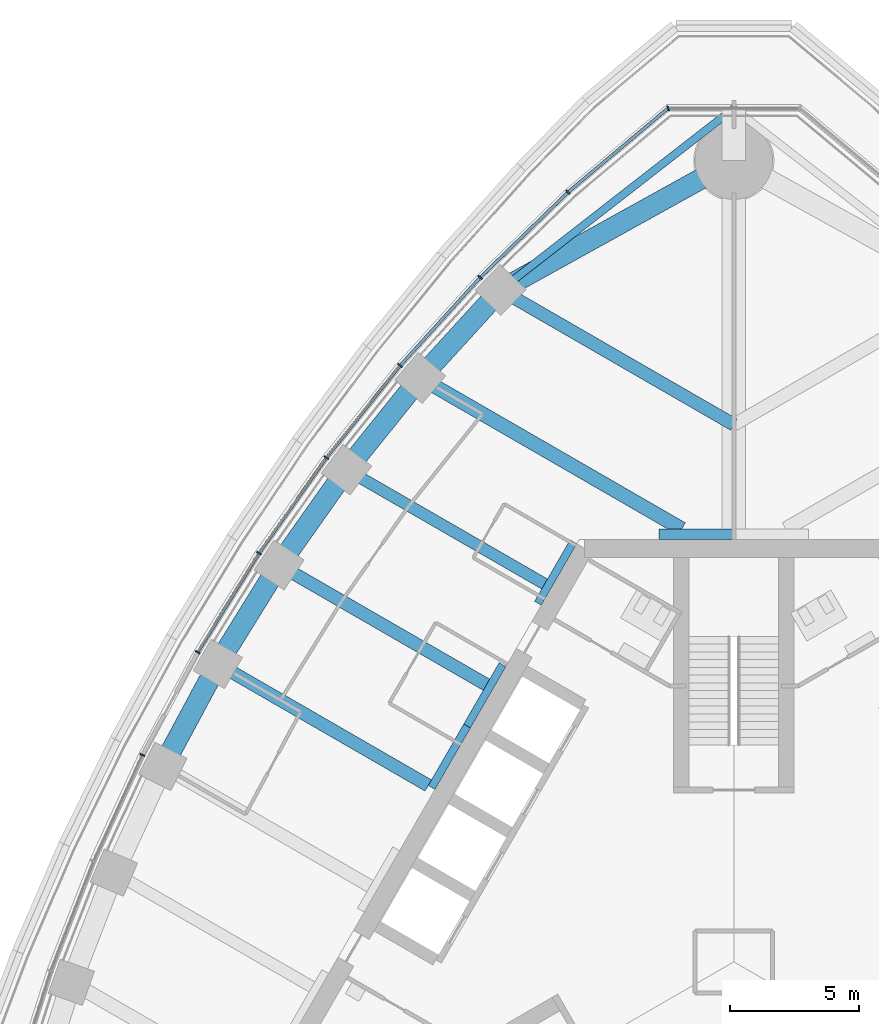
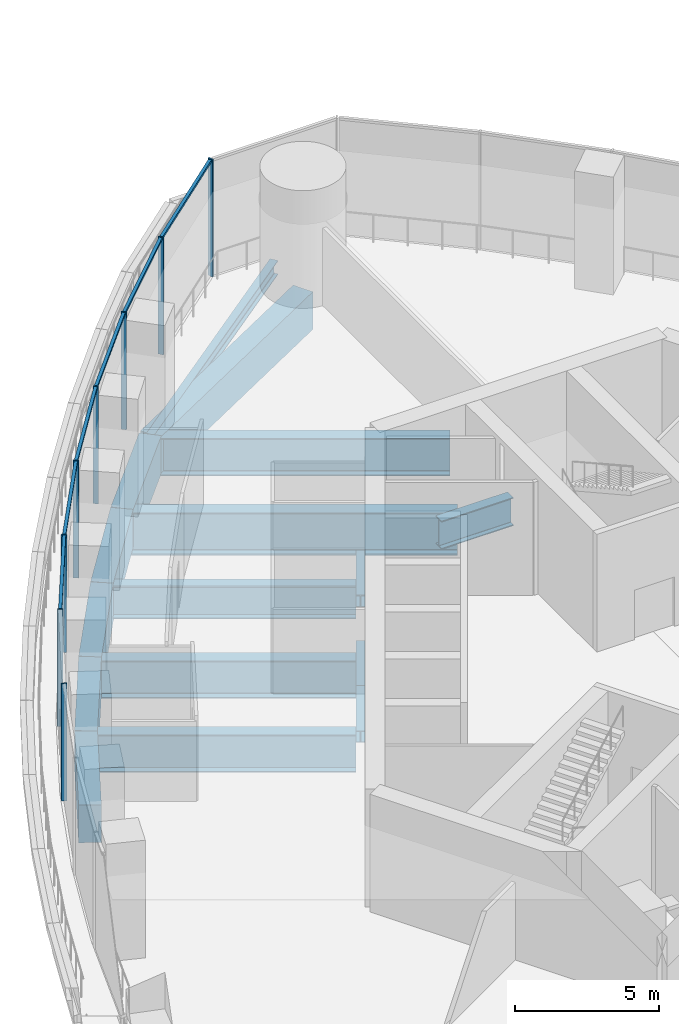
# One storey, part 6 of 26: 16 beams, 14 members, 3 elements without a shape of their own.
"""IFC4 building model written with IfcOpenShell, lengths in metres."""

from ifc_helpers import new_model, si_unit, direction, frame, origin, origin_2d, place, context, subcontext, project, spatial, rectangle, i_section, extrude, material, material_profile, profile_set, type_object, element, aggregate, save


model = new_model("IFC4")

# Units and contexts
model_context = context("Model", 3, precision=1e-05, world=origin(), true_north=direction((0.0, 1.0)))
body_context = subcontext(model_context, "Body", "Model", "MODEL_VIEW")
ifc_project = project(units=[si_unit("LENGTHUNIT", "METRE"), si_unit("AREAUNIT", "SQUARE_METRE"), si_unit("VOLUMEUNIT", "CUBIC_METRE"), si_unit("PLANEANGLEUNIT", "RADIAN"), si_unit("MASSUNIT", "GRAM", prefix="KILO")], contexts=[model_context])

# Site, building, storey
site_placement = place(None, origin())
site = spatial("IfcSite", under=ifc_project, at=site_placement, CompositionType="ELEMENT")
building_placement = place(site_placement, origin())
building = spatial("IfcBuilding", under=site, at=building_placement, Name="Trefoil Bronze Tower", CompositionType="ELEMENT")
storey_placement = place(building_placement, frame((0.0, 0.0, 271.300048828125)))
storey = spatial("IfcBuildingStorey", under=building, at=storey_placement, Name="L62", CompositionType="ELEMENT", Elevation=271.300048828125)

# Curtain wall, members
ifc_material_1 = material(Name="Tinted solar-control glass", Category="glass")
curtain_wall_type_1 = type_object("IfcCurtainWallType", Name="Bronze rounded corner curtain wall", PredefinedType="USERDEFINED", material=ifc_material_1)
curtain_wall_1_placement = place(storey_placement, origin())
curtain_wall_1 = element("IfcCurtainWall", 1, at=curtain_wall_1_placement, inside=storey, type_object=curtain_wall_type_1, Name="CW-B L62 K2", ObjectType="CURTAIN WALL", PredefinedType="USERDEFINED")
ifc_material_2 = material(Name="Bronze-finish aluminium", Category="aluminium")
ifc_material_profile_1 = material_profile(ifc_material_2, rectangle(XDim=0.199951171875, YDim=0.06005859375, at=origin_2d()), Name="CW-B mullion")
ifc_profile_set_1 = profile_set([ifc_material_profile_1], Name="Bronze-finish aluminium")
member_type_1 = type_object("IfcMemberType", Name="Bronze rounded corner curtain wall mullion", PredefinedType="MULLION", material=ifc_profile_set_1)
member_1_placement = place(storey_placement, frame((-2.542236328125, 33.021484375, 0.0), z_axis=(0.0, 0.0, 1.0), x_axis=(0.342020143326, -0.939692620786, 0.0)))
member_1 = element("IfcMember", 2, at=member_1_placement, type_object=member_type_1, Name="CW-B L62 K2 mullion 3", PredefinedType="MULLION", context=body_context, shape_type="SweptSolid", body=[
    extrude(rectangle(XDim=0.199951171875, YDim=0.06005859375, at=origin_2d()), origin(), (0.0, 0.0, 1.0), 4.97998046875),
])
member_2_placement = place(storey_placement, frame((-6.4150390625, 29.77978515625, 0.0), z_axis=(0.0, 0.0, 1.0), x_axis=(0.642787609687, -0.766044443119, 0.0)))
member_2 = element("IfcMember", 3, at=member_2_placement, type_object=member_type_1, Name="CW-B L62 K2 mullion 4", PredefinedType="MULLION", context=body_context, shape_type="SweptSolid", body=[
    extrude(rectangle(XDim=0.199951171875, YDim=0.06005859375, at=origin_2d()), origin(), (0.0, 0.0, 1.0), 4.97998046875),
])
ifc_material_3 = material(Name="Bronze-finish aluminium", Category="aluminium")
ifc_material_profile_2 = material_profile(ifc_material_3, rectangle(XDim=0.1201171875, YDim=0.10009765625, at=origin_2d()), Name="CW-B transom")
ifc_profile_set_2 = profile_set([ifc_material_profile_2], Name="Bronze-finish aluminium")
member_type_2 = type_object("IfcMemberType", Name="Bronze rounded corner curtain wall transom", PredefinedType="USERDEFINED", material=ifc_profile_set_2)
member_3_placement = place(storey_placement, frame((-2.595458984375, 32.98486328125, 4.929931640625), z_axis=(-0.766040522511, -0.642792282056, 0.0), x_axis=(0.642792282056, -0.766040522511, 0.0)))
member_3 = element("IfcMember", 4, at=member_3_placement, type_object=member_type_2, Name="CW-B L62 K2 transom 3", ObjectType="TRANSOM", PredefinedType="USERDEFINED", context=body_context, shape_type="SweptSolid", body=[
    extrude(rectangle(XDim=0.1201171875, YDim=0.10009765625, at=origin_2d()), origin(), (0.0, 0.0, 1.0), 4.9560546875),
])
aggregate(curtain_wall_1, [member_1, member_2, member_3])

ifc_material_4 = material(Name="Tinted solar-control glass", Category="glass")
curtain_wall_type_2 = type_object("IfcCurtainWallType", Name="Bronze sky lobby curtain wall", PredefinedType="USERDEFINED", material=ifc_material_4)
curtain_wall_2_placement = place(storey_placement, origin())
curtain_wall_2 = element("IfcCurtainWall", 5, at=curtain_wall_2_placement, inside=storey, type_object=curtain_wall_type_2, Name="CW-D L62 F3 run 1", ObjectType="CURTAIN WALL", PredefinedType="USERDEFINED")
ifc_material_5 = material(Name="Bronze-finish aluminium", Category="aluminium")
ifc_material_profile_3 = material_profile(ifc_material_5, rectangle(XDim=0.199951171875, YDim=0.06005859375, at=origin_2d()), Name="CW-D mullion")
ifc_profile_set_3 = profile_set([ifc_material_profile_3], Name="Bronze-finish aluminium")
member_type_3 = type_object("IfcMemberType", Name="Bronze sky lobby curtain wall mullion", PredefinedType="MULLION", material=ifc_profile_set_3)
member_4_placement = place(storey_placement, frame((-9.8134765625, 26.478271484375, 0.0), z_axis=(0.0, 0.0, 1.0), x_axis=(0.719001349715, -0.695008675564, 0.0)))
member_4 = element("IfcMember", 6, at=member_4_placement, type_object=member_type_3, Name="CW-D L62 F3 run 1 mullion 2", PredefinedType="MULLION", context=body_context, shape_type="SweptSolid", body=[
    extrude(rectangle(XDim=0.199951171875, YDim=0.06005859375, at=origin_2d()), origin(), (0.0, 0.0, 1.0), 4.97998046875),
])
member_5_placement = place(storey_placement, frame((-12.912353515625, 23.064453125, 0.0), z_axis=(0.0, 0.0, 1.0), x_axis=(0.760781190165, -0.649008459646, 0.0)))
member_5 = element("IfcMember", 7, at=member_5_placement, type_object=member_type_3, Name="CW-D L62 F3 run 1 mullion 3", PredefinedType="MULLION", context=body_context, shape_type="SweptSolid", body=[
    extrude(rectangle(XDim=0.199951171875, YDim=0.06005859375, at=origin_2d()), origin(), (0.0, 0.0, 1.0), 4.97998046875),
])
member_6_placement = place(storey_placement, frame((-15.7626953125, 19.5068359375, 0.0), z_axis=(0.0, 0.0, 1.0), x_axis=(0.799096076136, -0.601203344222, 0.0)))
member_6 = element("IfcMember", 8, at=member_6_placement, type_object=member_type_3, Name="CW-D L62 F3 run 1 mullion 4", PredefinedType="MULLION", context=body_context, shape_type="SweptSolid", body=[
    extrude(rectangle(XDim=0.199951171875, YDim=0.06005859375, at=origin_2d()), origin(), (0.0, 0.0, 1.0), 4.97998046875),
])
member_7_placement = place(storey_placement, frame((-18.37158203125, 15.81005859375, 0.0), z_axis=(0.0, 0.0, 1.0), x_axis=(0.834159158089, -0.551523797289, 0.0)))
member_7 = element("IfcMember", 9, at=member_7_placement, type_object=member_type_3, Name="CW-D L62 F3 run 1 mullion 5", PredefinedType="MULLION", context=body_context, shape_type="SweptSolid", body=[
    extrude(rectangle(XDim=0.199951171875, YDim=0.06005859375, at=origin_2d()), origin(), (0.0, 0.0, 1.0), 4.97998046875),
])
member_8_placement = place(storey_placement, frame((-20.7412109375, 11.978515625, 0.0), z_axis=(0.0, 0.0, 1.0), x_axis=(0.850497225851, -0.525979532701, 0.0)))
member_8 = element("IfcMember", 10, at=member_8_placement, type_object=member_type_3, Name="CW-D L62 F3 run 1 mullion 6", PredefinedType="MULLION", context=body_context, shape_type="SweptSolid", body=[
    extrude(rectangle(XDim=0.199951171875, YDim=0.06005859375, at=origin_2d()), origin(), (0.0, 0.0, 1.0), 4.97998046875),
])

# Curtain wall, member
curtain_wall_3_placement = place(storey_placement, origin())
curtain_wall_3 = element("IfcCurtainWall", 11, at=curtain_wall_3_placement, inside=storey, type_object=curtain_wall_type_2, Name="CW-D L62 F3 run 3", ObjectType="CURTAIN WALL", PredefinedType="USERDEFINED")
member_9_placement = place(storey_placement, frame((-22.87890625, 8.00244140625, 0.0), z_axis=(0.0, 0.0, 1.0), x_axis=(0.907843509649, -0.419309148468, 0.0)))
member_9 = element("IfcMember", 12, at=member_9_placement, type_object=member_type_3, Name="CW-D L62 F3 run 3 mullion 1", PredefinedType="MULLION", context=body_context, shape_type="SweptSolid", body=[
    extrude(rectangle(XDim=0.199951171875, YDim=0.06005859375, at=origin_2d()), origin(), (0.0, 0.0, 1.0), 4.97998046875),
])
aggregate(curtain_wall_3, [member_9])

# Member
ifc_material_6 = material(Name="Bronze-finish aluminium", Category="aluminium")
ifc_material_profile_4 = material_profile(ifc_material_6, rectangle(XDim=0.1201171875, YDim=0.10009765625, at=origin_2d()), Name="CW-D transom")
ifc_profile_set_4 = profile_set([ifc_material_profile_4], Name="Bronze-finish aluminium")
member_type_4 = type_object("IfcMemberType", Name="Bronze sky lobby curtain wall transom", PredefinedType="USERDEFINED", material=ifc_profile_set_4)
member_10_placement = place(storey_placement, frame((-6.442138671875, 29.75390625, 4.929931640625), z_axis=(-0.717207669236, -0.696859497452, 0.0), x_axis=(0.696859497452, -0.717207669236, 0.0)))
member_10 = element("IfcMember", 13, at=member_10_placement, type_object=member_type_4, Name="CW-D L62 F3 run 1 transom 1", ObjectType="TRANSOM", PredefinedType="USERDEFINED", context=body_context, shape_type="SweptSolid", body=[
    extrude(rectangle(XDim=0.1201171875, YDim=0.10009765625, at=origin_2d()), origin(), (0.0, 0.0, 1.0), 4.667236328125),
])

member_11_placement = place(storey_placement, frame((-9.835693359375, 26.453857421875, 4.929931640625), z_axis=(-0.672113749312, -0.74044791038, 0.0), x_axis=(0.74044791038, -0.672113749312, 0.0)))
member_11 = element("IfcMember", 14, at=member_11_placement, type_object=member_type_4, Name="CW-D L62 F3 run 1 transom 2", ObjectType="TRANSOM", PredefinedType="USERDEFINED", context=body_context, shape_type="SweptSolid", body=[
    extrude(rectangle(XDim=0.1201171875, YDim=0.10009765625, at=origin_2d()), origin(), (0.0, 0.0, 1.0), 4.54443359375),
])

member_12_placement = place(storey_placement, frame((-12.93310546875, 23.03857421875, 4.929931640625), z_axis=(-0.625291332688, -0.780391407734, 0.0), x_axis=(0.780391407734, -0.625291332688, 0.0)))
member_12 = element("IfcMember", 15, at=member_12_placement, type_object=member_type_4, Name="CW-D L62 F3 run 1 transom 3", ObjectType="TRANSOM", PredefinedType="USERDEFINED", context=body_context, shape_type="SweptSolid", body=[
    extrude(rectangle(XDim=0.1201171875, YDim=0.10009765625, at=origin_2d()), origin(), (0.0, 0.0, 1.0), 4.492431640625),
])

member_13_placement = place(storey_placement, frame((-15.78173828125, 19.47998046875, 4.929931640625), z_axis=(-0.576567106731, -0.817049797402, 0.0), x_axis=(0.817049797402, -0.576567106731, 0.0)))
member_13 = element("IfcMember", 16, at=member_13_placement, type_object=member_type_4, Name="CW-D L62 F3 run 1 transom 4", ObjectType="TRANSOM", PredefinedType="USERDEFINED", context=body_context, shape_type="SweptSolid", body=[
    extrude(rectangle(XDim=0.1201171875, YDim=0.10009765625, at=origin_2d()), origin(), (0.0, 0.0, 1.0), 4.458740234375),
])

member_14_placement = place(storey_placement, frame((-18.388916015625, 15.781982421875, 4.929931640625), z_axis=(-0.525966686785, -0.850505170115, 0.0), x_axis=(0.850505170115, -0.525966686785, 0.0)))
member_14 = element("IfcMember", 17, at=member_14_placement, type_object=member_type_4, Name="CW-D L62 F3 run 1 transom 5", ObjectType="TRANSOM", PredefinedType="USERDEFINED", context=body_context, shape_type="SweptSolid", body=[
    extrude(rectangle(XDim=0.1201171875, YDim=0.10009765625, at=origin_2d()), origin(), (0.0, 0.0, 1.0), 4.442138671875),
])

aggregate(curtain_wall_2, [member_4, member_5, member_6, member_7, member_8, member_10, member_11, member_12, member_13, member_14])

# Beams
ifc_material_7 = material(Name="Steel C355", Category="steel")
ifc_material_profile_5 = material_profile(ifc_material_7, i_section(OverallWidth=0.300048828125, OverallDepth=0.5, WebThickness=0.014404296875, FlangeThickness=0.028076171875, FilletRadius=0.027099609375, at=origin_2d()), Name="HEB 500")
ifc_profile_set_5 = profile_set([ifc_material_profile_5], Name="Steel C355")
beam_type_1 = type_object("IfcBeamType", Name="Core seat beam HEB 500", PredefinedType="BEAM", material=ifc_profile_set_5)
for number, where, z_axis, x_axis, name in (
    (18, (-6.20654296875, 16.25, -0.449951171875), (-0.499969057507, -0.866043267704, 0.0), (0.866043267704, -0.499969057507, 0.0), "Core seat beam F3/-2 L62"),
    (19, (-8.948974609375, 11.5, -0.449951171875), (-0.499969057507, -0.866043267704, 0.0), (0.866043267704, -0.499969057507, 0.0), "Core seat beam F3/-1 L62"),
    (20, (-10.320068359375, 9.125, -0.449951171875), (-0.500035825175, -0.866004719122, 0.0), (0.866004719122, -0.500035825175, 0.0), "Core seat beam F3/+0 L62"),
):
    element("IfcBeam", number, at=place(storey_placement, frame(where, z_axis=z_axis, x_axis=x_axis)), inside=storey, type_object=beam_type_1, Name=name, PredefinedType="BEAM", context=body_context, shape_type="SweptSolid", body=[
        extrude(i_section(OverallWidth=0.300048828125, OverallDepth=0.5, WebThickness=0.014404296875, FlangeThickness=0.028076171875, FilletRadius=0.027099609375, at=origin_2d()), origin(), (0.0, 0.0, 1.0), 2.742431640625),
    ])
ifc_material_8 = material(Name="Steel C355", Category="steel")
ifc_material_profile_6 = material_profile(ifc_material_8, i_section(OverallWidth=0.39990234375, OverallDepth=1.199951171875, WebThickness=0.02001953125, FlangeThickness=0.0400390625, FilletRadius=0.010009765625, at=origin_2d()), Name="WPG 1200")
ifc_profile_set_6 = profile_set([ifc_material_profile_6], Name="Steel C355")
beam_type_2 = type_object("IfcBeamType", Name="Core seat beam WPG 1200", PredefinedType="BEAM", material=ifc_profile_set_6)
beam_1_placement = place(storey_placement, frame((0.0, 16.550048828125, -0.800048828125), z_axis=(-1.0, 0.0, 0.0), x_axis=(0.0, -1.0, 0.0)))
element("IfcBeam", 21, at=beam_1_placement, inside=storey, type_object=beam_type_2, Name="Core seat beam F3/-3 L62", PredefinedType="BEAM", context=body_context, shape_type="SweptSolid", body=[
    extrude(i_section(OverallWidth=0.39990234375, OverallDepth=1.199951171875, WebThickness=0.02001953125, FlangeThickness=0.0400390625, FilletRadius=0.010009765625, at=origin_2d()), origin(), (0.0, 0.0, 1.0), 2.88671875),
])
ifc_material_9 = material(Name="Steel C355", Category="steel")
ifc_material_profile_7 = material_profile(ifc_material_9, i_section(OverallWidth=0.300048828125, OverallDepth=0.60009765625, WebThickness=0.015380859375, FlangeThickness=0.030029296875, FilletRadius=0.027099609375, at=origin_2d()), Name="HEB 600")
ifc_profile_set_7 = profile_set([ifc_material_profile_7], Name="Steel C355")
beam_type_3 = type_object("IfcBeamType", Name="Corner edge beam HEB 600", PredefinedType="BEAM", material=ifc_profile_set_7)
beam_2_placement = place(storey_placement, frame((-9.02734375, 25.99658203125, -0.5), z_axis=(0.789270604977, 0.614045529354, 0.0), x_axis=(-0.614045529354, 0.789270604977, 0.0)))
element("IfcBeam", 22, at=beam_2_placement, inside=storey, type_object=beam_type_3, Name="Corner edge beam F3B L62", PredefinedType="BEAM", context=body_context, shape_type="SweptSolid", body=[
    extrude(i_section(OverallWidth=0.300048828125, OverallDepth=0.60009765625, WebThickness=0.015380859375, FlangeThickness=0.030029296875, FilletRadius=0.027099609375, at=origin_2d()), origin(), (0.0, 0.0, 1.0), 11.4375),
])
ifc_material_10 = material(Name="Concrete B80", Category="concrete")
ifc_material_profile_8 = material_profile(ifc_material_10, rectangle(XDim=0.800048828125, YDim=1.60009765625, at=origin_2d()), Name="RC 800x1600")
ifc_profile_set_8 = profile_set([ifc_material_profile_8], Name="Concrete B80")
beam_type_4 = type_object("IfcBeamType", Name="End spandrel beam RC 800x1600", PredefinedType="SPANDREL", material=ifc_profile_set_8)
beam_3_placement = place(storey_placement, frame((0.0, 31.0, -1.0), z_axis=(-0.874641085074, -0.484771051426, 0.0), x_axis=(0.484771051426, -0.874641085074, 0.0)))
element("IfcBeam", 23, at=beam_3_placement, inside=storey, type_object=beam_type_4, Name="Spandrel F3.1 L62", PredefinedType="SPANDREL", context=body_context, shape_type="SweptSolid", body=[
    extrude(rectangle(XDim=0.800048828125, YDim=1.60009765625, at=origin_2d()), origin(), (0.0, 0.0, 1.0), 10.3212890625),
])
ifc_material_11 = material(Name="Steel C355", Category="steel")
ifc_material_profile_9 = material_profile(ifc_material_11, i_section(OverallWidth=0.449951171875, OverallDepth=1.39990234375, WebThickness=0.02294921875, FlangeThickness=0.044921875, FilletRadius=0.011962890625, at=origin_2d()), Name="WPG 1400")
ifc_profile_set_9 = profile_set([ifc_material_profile_9], Name="Steel C355")
beam_type_5 = type_object("IfcBeamType", Name="Floor beam WPG 1400", PredefinedType="BEAM", material=ifc_profile_set_9)
beam_4_placement = place(storey_placement, frame((-14.98486328125, 19.043701171875, -0.900146484375), z_axis=(0.866025701847, -0.499999483739, 0.0), x_axis=(0.499999483739, 0.866025701847, 0.0)))
element("IfcBeam", 24, at=beam_4_placement, inside=storey, type_object=beam_type_5, Name="Floor beam F3/-2 L62", PredefinedType="BEAM", context=body_context, shape_type="SweptSolid", body=[
    extrude(i_section(OverallWidth=0.449951171875, OverallDepth=1.39990234375, WebThickness=0.02294921875, FlangeThickness=0.044921875, FilletRadius=0.011962890625, at=origin_2d()), origin(), (0.0, 0.0, 1.0), 8.84912109375),
])
ifc_material_12 = material(Name="Steel C355", Category="steel")
ifc_material_profile_10 = material_profile(ifc_material_12, i_section(OverallWidth=0.5, OverallDepth=1.60009765625, WebThickness=0.02587890625, FlangeThickness=0.050048828125, FilletRadius=0.011962890625, at=origin_2d()), Name="WPG 1600")
ifc_profile_set_10 = profile_set([ifc_material_profile_10], Name="Steel C355")
beam_type_6 = type_object("IfcBeamType", Name="Floor beam WPG 1600", PredefinedType="BEAM", material=ifc_profile_set_10)
beam_5_placement = place(storey_placement, frame((-9.02734375, 25.99658203125, -1.0), z_axis=(0.866026453994, -0.499998180979, 0.0), x_axis=(0.499998180979, 0.866026453994, 0.0)))
element("IfcBeam", 25, at=beam_5_placement, inside=storey, type_object=beam_type_6, Name="Floor beam F3/-4 L62", PredefinedType="BEAM", context=body_context, shape_type="SweptSolid", body=[
    extrude(i_section(OverallWidth=0.5, OverallDepth=1.60009765625, WebThickness=0.02587890625, FlangeThickness=0.050048828125, FilletRadius=0.011962890625, at=origin_2d()), origin(), (0.0, 0.0, 1.0), 10.423828125),
])
beam_6_placement = place(storey_placement, frame((-17.593994140625, 15.35400390625, -1.0), z_axis=(0.866028909405, -0.499993928037, 0.0), x_axis=(0.499993928037, 0.866028909405, 0.0)))
element("IfcBeam", 26, at=beam_6_placement, inside=storey, type_object=beam_type_6, Name="Floor beam F3/-1 L62", PredefinedType="BEAM", context=body_context, shape_type="SweptSolid", body=[
    extrude(i_section(OverallWidth=0.5, OverallDepth=1.60009765625, WebThickness=0.02587890625, FlangeThickness=0.050048828125, FilletRadius=0.011962890625, at=origin_2d()), origin(), (0.0, 0.0, 1.0), 9.263671875),
])
beam_7_placement = place(storey_placement, frame((-19.96337890625, 11.52587890625, -1.0), z_axis=(0.866021259968, -0.500007177232, 0.0), x_axis=(0.500007177232, 0.866021259968, 0.0)))
element("IfcBeam", 27, at=beam_7_placement, inside=storey, type_object=beam_type_6, Name="Floor beam F3/+0 L62", PredefinedType="BEAM", context=body_context, shape_type="SweptSolid", body=[
    extrude(i_section(OverallWidth=0.5, OverallDepth=1.60009765625, WebThickness=0.02587890625, FlangeThickness=0.050048828125, FilletRadius=0.011962890625, at=origin_2d()), origin(), (0.0, 0.0, 1.0), 9.401611328125),
])
ifc_material_13 = material(Name="Steel C355", Category="steel")
ifc_material_profile_11 = material_profile(ifc_material_13, i_section(OverallWidth=0.550048828125, OverallDepth=1.800048828125, WebThickness=0.029052734375, FlangeThickness=0.054931640625, FilletRadius=0.013916015625, at=origin_2d()), Name="WPG 1800")
ifc_profile_set_11 = profile_set([ifc_material_profile_11], Name="Steel C355")
beam_type_7 = type_object("IfcBeamType", Name="Floor beam WPG 1800", PredefinedType="BEAM", material=ifc_profile_set_11)
beam_8_placement = place(storey_placement, frame((-12.131591796875, 22.5927734375, -1.10009765625), z_axis=(0.866017882563, -0.500013026912, 0.0), x_axis=(0.500013026912, 0.866017882563, 0.0)))
element("IfcBeam", 28, at=beam_8_placement, inside=storey, type_object=beam_type_7, Name="Floor beam F3/-3 L62", PredefinedType="BEAM", context=body_context, shape_type="SweptSolid", body=[
    extrude(i_section(OverallWidth=0.550048828125, OverallDepth=1.800048828125, WebThickness=0.029052734375, FlangeThickness=0.054931640625, FilletRadius=0.013916015625, at=origin_2d()), origin(), (0.0, 0.0, 1.0), 11.685302734375),
])
ifc_material_14 = material(Name="Concrete B80", Category="concrete")
ifc_material_profile_12 = material_profile(ifc_material_14, rectangle(XDim=0.800048828125, YDim=1.60009765625, at=origin_2d()), Name="RC 800x1600")
ifc_profile_set_12 = profile_set([ifc_material_profile_12], Name="Concrete B80")
beam_type_8 = type_object("IfcBeamType", Name="Spandrel beam RC 800x1600", PredefinedType="SPANDREL", material=ifc_profile_set_12)
beam_9_placement = place(storey_placement, frame((-9.02734375, 25.99658203125, -1.0), z_axis=(-0.673845775847, -0.738872025707, 0.0), x_axis=(0.738872025707, -0.673845775847, 0.0)))
element("IfcBeam", 29, at=beam_9_placement, inside=storey, type_object=beam_type_8, Name="Spandrel F3.2 L62", PredefinedType="SPANDREL", context=body_context, shape_type="SweptSolid", body=[
    extrude(rectangle(XDim=0.800048828125, YDim=1.60009765625, at=origin_2d()), origin(), (0.0, 0.0, 1.0), 4.606689453125),
])
beam_10_placement = place(storey_placement, frame((-12.131591796875, 22.5927734375, -1.0), z_axis=(-0.626569682592, -0.779365403939, 0.0), x_axis=(0.779365403939, -0.626569682592, 0.0)))
element("IfcBeam", 30, at=beam_10_placement, inside=storey, type_object=beam_type_8, Name="Spandrel F3.3 L62", PredefinedType="SPANDREL", context=body_context, shape_type="SweptSolid", body=[
    extrude(rectangle(XDim=0.800048828125, YDim=1.60009765625, at=origin_2d()), origin(), (0.0, 0.0, 1.0), 4.5537109375),
])
beam_11_placement = place(storey_placement, frame((-14.98486328125, 19.043701171875, -1.0), z_axis=(-0.577368105169, -0.816483968693, 0.0), x_axis=(0.816483968693, -0.577368105169, 0.0)))
element("IfcBeam", 31, at=beam_11_placement, inside=storey, type_object=beam_type_8, Name="Spandrel F3.4 L62", PredefinedType="SPANDREL", context=body_context, shape_type="SweptSolid", body=[
    extrude(rectangle(XDim=0.800048828125, YDim=1.60009765625, at=origin_2d()), origin(), (0.0, 0.0, 1.0), 4.51904296875),
])
beam_12_placement = place(storey_placement, frame((-17.593994140625, 15.35400390625, -1.0), z_axis=(-0.526289271956, -0.850305593433, 0.0), x_axis=(0.850305593433, -0.526289271956, 0.0)))
element("IfcBeam", 32, at=beam_12_placement, inside=storey, type_object=beam_type_8, Name="Spandrel F3.5 L62", PredefinedType="SPANDREL", context=body_context, shape_type="SweptSolid", body=[
    extrude(rectangle(XDim=0.800048828125, YDim=1.60009765625, at=origin_2d()), origin(), (0.0, 0.0, 1.0), 4.501953125),
])
beam_13_placement = place(storey_placement, frame((-19.96337890625, 11.52587890625, -1.0), z_axis=(-0.473245885676, -0.880930378458, 0.0), x_axis=(0.880930378458, -0.473245885676, 0.0)))
element("IfcBeam", 33, at=beam_13_placement, inside=storey, type_object=beam_type_8, Name="Spandrel F3.6 L62", PredefinedType="SPANDREL", context=body_context, shape_type="SweptSolid", body=[
    extrude(rectangle(XDim=0.800048828125, YDim=1.60009765625, at=origin_2d()), origin(), (0.0, 0.0, 1.0), 4.502197265625),
])

save(model, "model.ifc")
